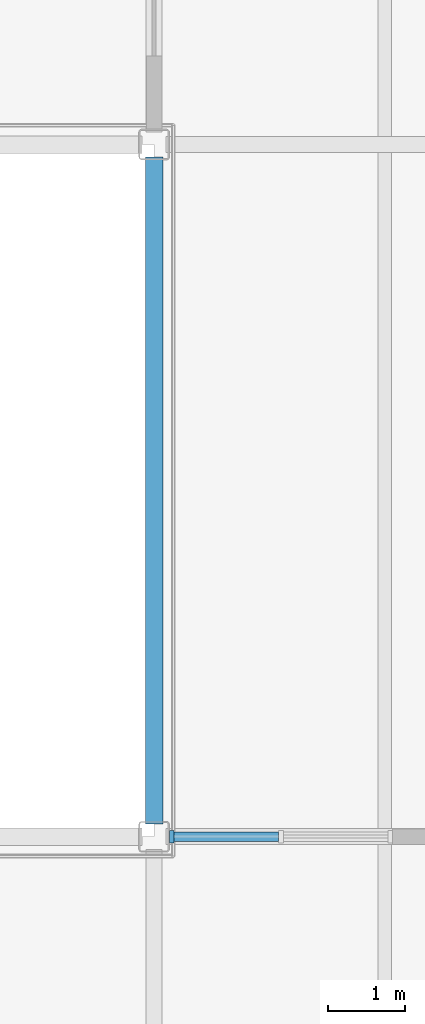
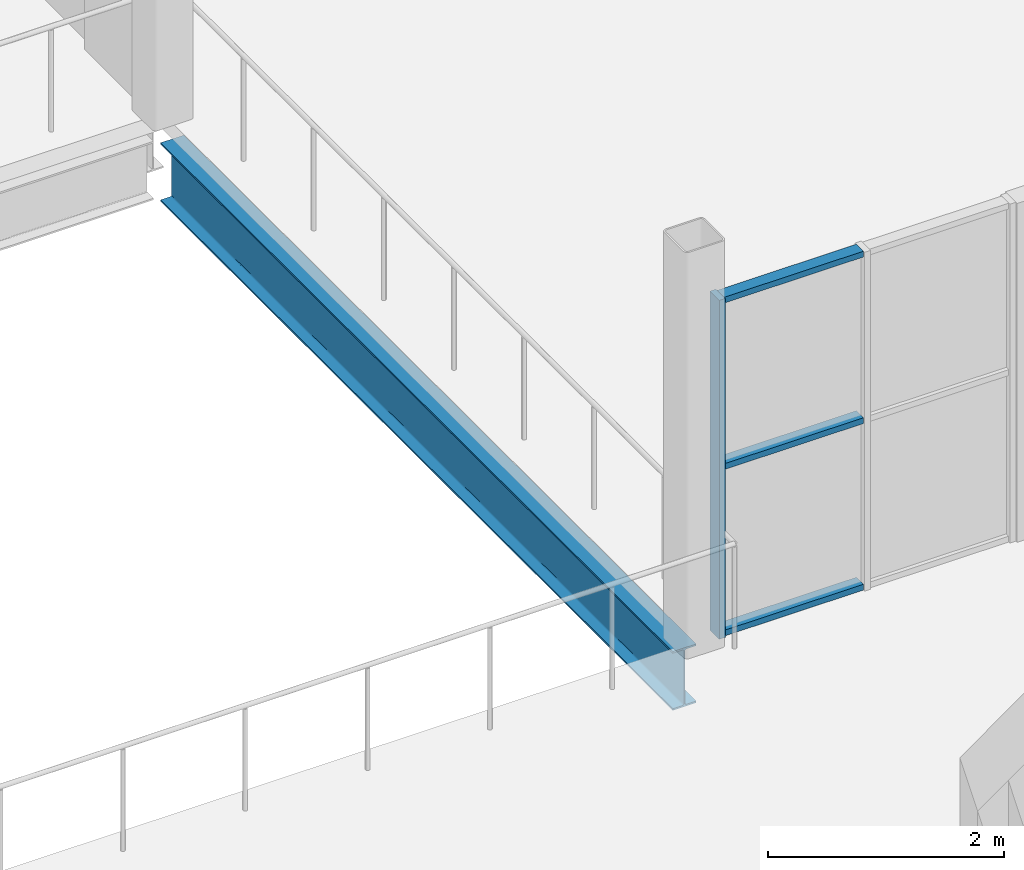
# One storey, part 10 of 57: 4 members, 1 beam, 1 element without a shape of its own.
"""IFC4 building model written with IfcOpenShell, lengths in metres."""

from ifc_helpers import new_model, si_unit, direction, frame, origin, origin_2d, place, context, subcontext, project, spatial, rectangle, i_section, extrude, material, layer, layer_set, material_profile, profile_set, type_object, element, aggregate, save


model = new_model("IFC4")

# Units and contexts
model_context = context("Model", 3, precision=1e-05, world=origin(), true_north=direction((0.0, 1.0)))
body_context = subcontext(model_context, "Body", "Model", "MODEL_VIEW")
ifc_project = project(units=[si_unit("LENGTHUNIT", "METRE"), si_unit("AREAUNIT", "SQUARE_METRE"), si_unit("VOLUMEUNIT", "CUBIC_METRE"), si_unit("PLANEANGLEUNIT", "RADIAN"), si_unit("MASSUNIT", "GRAM", prefix="KILO")], contexts=[model_context])

# Site, building, storey
site_placement = place(None, origin())
site = spatial("IfcSite", under=ifc_project, at=site_placement, CompositionType="ELEMENT")
building_placement = place(site_placement, origin())
building = spatial("IfcBuilding", under=site, at=building_placement, Name="Halyard Row Museum", CompositionType="ELEMENT")
storey_placement = place(building_placement, frame((0.0, 0.0, 5.0)))
storey = spatial("IfcBuildingStorey", under=building, at=storey_placement, Name="L01", CompositionType="ELEMENT", Elevation=5.0)

# Curtain wall, members
ifc_material_1 = material(Name="Fire-resisting laminated glazing", Category="glass")
ifc_layer = layer(ifc_material_1, 0.159912109375)
ifc_layer_set = layer_set([ifc_layer], Name="Fire-resisting laminated glazing")
curtain_wall_type = type_object("IfcCurtainWallType", Name="Curtain wall atrium screen 160 deep", PredefinedType="NOTDEFINED", material=ifc_layer_set)
curtain_wall_placement = place(storey_placement, origin())
curtain_wall = element("IfcCurtainWall", 1, at=curtain_wall_placement, inside=storey, type_object=curtain_wall_type, Name="Curtain wall CW142", PredefinedType="NOTDEFINED")
ifc_material_2 = material(Name="Powder-coated aluminium section", Category="aluminium")
ifc_material_profile_1 = material_profile(ifc_material_2, rectangle(XDim=0.159912109375, YDim=0.06005859375, at=origin_2d()), Name="160x60 mullion")
ifc_profile_set_1 = profile_set([ifc_material_profile_1], Name="Powder-coated aluminium section")
member_type_1 = type_object("IfcMemberType", Name="Curtain wall mullion CM5 60 x 160", PredefinedType="MULLION", material=ifc_profile_set_1)
member_1_placement = place(storey_placement, frame((63.22998046875, 27.0, 0.0), z_axis=(0.0, 0.0, 1.0), x_axis=(0.0, 1.0, 0.0)))
member_1 = element("IfcMember", 2, at=member_1_placement, type_object=member_type_1, Name="CW142 mullion 1", PredefinedType="MULLION", context=body_context, shape_type="SweptSolid", body=[
    extrude(rectangle(XDim=0.159912109375, YDim=0.06005859375, at=origin_2d()), origin(), (0.0, 0.0, 1.0), 3.501953125),
])
ifc_material_3 = material(Name="Powder-coated aluminium section", Category="aluminium")
ifc_material_profile_2 = material_profile(ifc_material_3, rectangle(XDim=0.1201171875, YDim=0.06005859375, at=origin_2d()), Name="120x60 transom")
ifc_profile_set_2 = profile_set([ifc_material_profile_2], Name="Powder-coated aluminium section")
member_type_2 = type_object("IfcMemberType", Name="Curtain wall transom CT5 60 x 120", PredefinedType="USERDEFINED", material=ifc_profile_set_2)
member_2_placement = place(storey_placement, frame((63.260009765625, 27.0, 0.030029296875), z_axis=(1.0, 0.0, 0.0), x_axis=(0.0, 1.0, 0.0)))
member_2 = element("IfcMember", 3, at=member_2_placement, type_object=member_type_2, Name="CW142 transom 1.1", ObjectType="TRANSOM", PredefinedType="USERDEFINED", context=body_context, shape_type="SweptSolid", body=[
    extrude(rectangle(XDim=0.1201171875, YDim=0.06005859375, at=origin_2d()), origin(), (0.0, 0.0, 1.0), 1.360107421875),
])
member_3_placement = place(storey_placement, frame((63.260009765625, 27.0, 1.7509765625), z_axis=(1.0, 0.0, 0.0), x_axis=(0.0, 1.0, 0.0)))
member_3 = element("IfcMember", 4, at=member_3_placement, type_object=member_type_2, Name="CW142 transom 1.2", ObjectType="TRANSOM", PredefinedType="USERDEFINED", context=body_context, shape_type="SweptSolid", body=[
    extrude(rectangle(XDim=0.1201171875, YDim=0.06005859375, at=origin_2d()), origin(), (0.0, 0.0, 1.0), 1.360107421875),
])
member_4_placement = place(storey_placement, frame((63.260009765625, 27.0, 3.471923828125), z_axis=(1.0, 0.0, 0.0), x_axis=(0.0, 1.0, 0.0)))
member_4 = element("IfcMember", 5, at=member_4_placement, type_object=member_type_2, Name="CW142 transom 1.3", ObjectType="TRANSOM", PredefinedType="USERDEFINED", context=body_context, shape_type="SweptSolid", body=[
    extrude(rectangle(XDim=0.1201171875, YDim=0.06005859375, at=origin_2d()), origin(), (0.0, 0.0, 1.0), 1.360107421875),
])
aggregate(curtain_wall, [member_1, member_2, member_3, member_4])

# Beam
ifc_material_4 = material(Name="Steel Grade 300", Category="steel")
ifc_material_profile_3 = material_profile(ifc_material_4, i_section(OverallWidth=0.22802734375, OverallDepth=0.60693359375, WebThickness=0.01123046875, FlangeThickness=0.017333984375, FilletRadius=0.013916015625, at=origin_2d()), Name="610UB113")
ifc_profile_set_3 = profile_set([ifc_material_profile_3], Name="Steel Grade 300")
beam_type = type_object("IfcBeamType", Name="Void edge beam 610UB113", PredefinedType="BEAM", material=ifc_profile_set_3)
beam_placement = place(storey_placement, frame((63.0, 27.16357421875, -0.468505859375), z_axis=(0.0, 1.0, 0.0), x_axis=(-1.0, 0.0, 0.0)))
element("IfcBeam", 6, at=beam_placement, inside=storey, type_object=beam_type, Name="Beam L01-060", PredefinedType="BEAM", context=body_context, shape_type="SweptSolid", body=[
    extrude(i_section(OverallWidth=0.22802734375, OverallDepth=0.60693359375, WebThickness=0.01123046875, FlangeThickness=0.017333984375, FilletRadius=0.013916015625, at=origin_2d()), origin(), (0.0, 0.0, 1.0), 8.6728515625),
])

save(model, "model.ifc")
